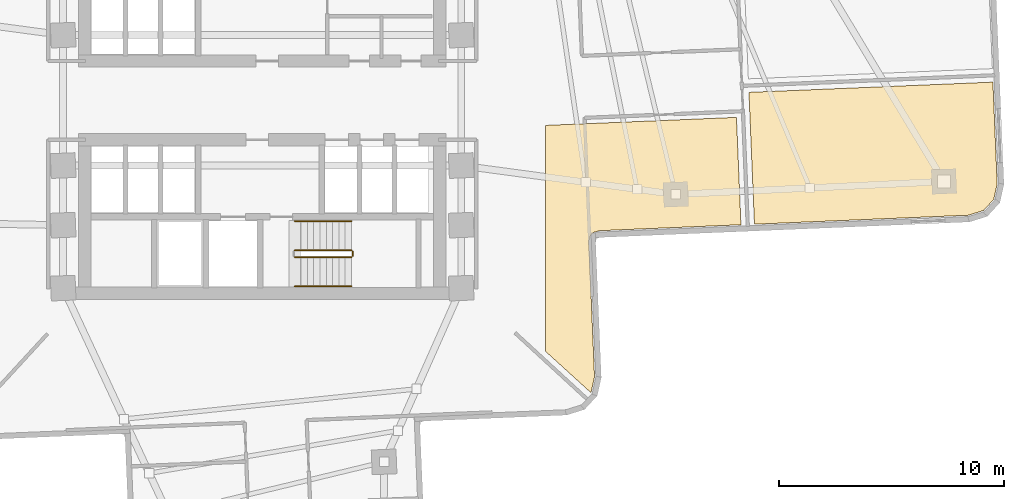
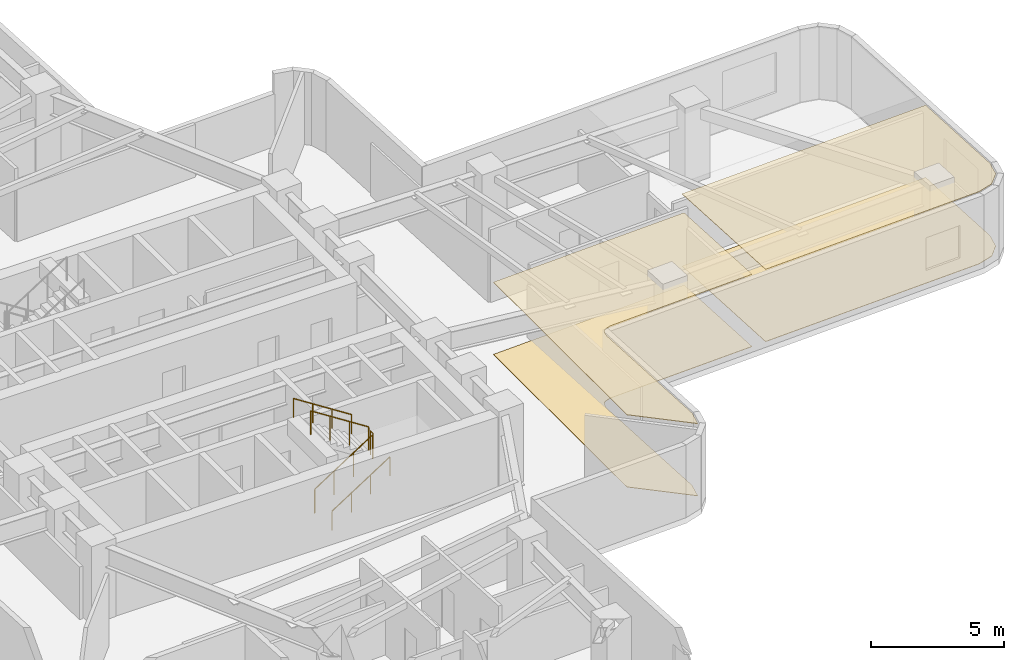
# One storey, part 8 of 10: 5 railings, 4 coverings.
"""IFC4 building model written with IfcOpenShell, lengths in metres."""

from ifc_helpers import new_model, si_unit, direction, frame, origin, origin_2d, place, context, subcontext, project, spatial, polyline, circle, outline, extrude, material, layer, layer_set, type_object, element, save


model = new_model("IFC4")

# Units and contexts
model_context = context("Model", 3, precision=1e-05, world=origin(), true_north=direction((0.0, 1.0)))
body_context = subcontext(model_context, "Body", "Model", "MODEL_VIEW")
ifc_project = project(units=[si_unit("LENGTHUNIT", "METRE"), si_unit("AREAUNIT", "SQUARE_METRE"), si_unit("VOLUMEUNIT", "CUBIC_METRE"), si_unit("PLANEANGLEUNIT", "RADIAN"), si_unit("MASSUNIT", "GRAM", prefix="KILO")], contexts=[model_context])

# Site, building, storey
site_placement = place(None, origin())
site = spatial("IfcSite", under=ifc_project, at=site_placement, CompositionType="ELEMENT")
building_placement = place(site_placement, origin())
building = spatial("IfcBuilding", under=site, at=building_placement, Name="Solmarez Civic Tower", CompositionType="ELEMENT")
storey_placement = place(building_placement, frame((0.0, 0.0, 42.47998046875)))
storey = spatial("IfcBuildingStorey", under=building, at=storey_placement, Name="L10", CompositionType="ELEMENT", Elevation=42.47998046875)

# Coverings
ifc_material_1 = material(Name="Perforated Mineral-Fibre Acoustic Ceiling")
ifc_layer_1 = layer(ifc_material_1, 0.02490234375)
ifc_layer_set_1 = layer_set([ifc_layer_1], Name="Perforated Mineral-Fibre Acoustic Ceiling")
covering_type_1 = type_object("IfcCoveringType", Name="COV-CEIL-ACOUSTIC", PredefinedType="CEILING", material=ifc_layer_set_1)
covering_1_placement = place(storey_placement, frame((0.0, 0.0, 3.31494140625)))
element("IfcCovering", 1, at=covering_1_placement, inside=storey, type_object=covering_type_1, Name="L10 Suspended Acoustic Ceiling 3", PredefinedType="CEILING", context=body_context, shape_type="SweptSolid", body=[
    extrude(outline(polyline([(12.60009765625, -1.113037109375), (12.60009765625, -11.162109375), (14.618896484375, -12.9990234375), (14.623046875, -12.993896484375), (14.778076171875, -12.302001953125), (14.528076171875, -6.327880859375), (14.528076171875, -6.319091796875), (14.528076171875, -6.304931640625), (14.530029296875, -6.27392578125), (14.531005859375, -6.26708984375), (14.533935546875, -6.2490234375), (14.572021484375, -6.0810546875), (14.574951171875, -6.070068359375), (14.576904296875, -6.06298828125), (14.5869140625, -6.035888671875), (14.590087890625, -6.029052734375), (14.593017578125, -6.02197265625), (14.60400390625, -6.0), (14.60791015625, -5.992919921875), (14.617919921875, -5.97705078125), (14.6298828125, -5.9609375), (14.635009765625, -5.955078125), (14.64501953125, -5.944091796875), (14.657958984375, -5.929931640625), (14.673095703125, -5.916015625), (14.68798828125, -5.904052734375), (14.7060546875, -5.89306640625), (14.721923828125, -5.884033203125), (14.739990234375, -5.875), (14.75390625, -5.868896484375), (14.77587890625, -5.861083984375), (14.93994140625, -5.81005859375), (14.945068359375, -5.80810546875), (14.951904296875, -5.805908203125), (14.98095703125, -5.800048828125), (14.988037109375, -5.799072265625), (14.9951171875, -5.798095703125), (15.01708984375, -5.7958984375), (21.2900390625, -5.532958984375), (21.090087890625, -0.757080078125), (12.60009765625, -1.113037109375)])), origin(), (0.0, 0.0, 1.0), 0.025146484375),
])
covering_2_placement = place(storey_placement, frame((0.0, 0.0, 3.31494140625)))
element("IfcCovering", 2, at=covering_2_placement, inside=storey, type_object=covering_type_1, Name="L10 Suspended Acoustic Ceiling 5", PredefinedType="CEILING", context=body_context, shape_type="SweptSolid", body=[
    extrude(outline(polyline([(21.889892578125, -5.508056640625), (31.402099609375, -5.10888671875), (32.077880859375, -4.89794921875), (32.530029296875, -4.406005859375), (32.68408203125, -3.715087890625), (32.493896484375, 0.81103515625), (21.64404296875, 0.35595703125), (21.889892578125, -5.508056640625)])), origin(), (0.0, 0.0, 1.0), 0.025146484375),
])
ifc_material_2 = material(Name="Polished Tropical Stone Terrazzo Flooring", Category="masonry")
ifc_layer_2 = layer(ifc_material_2, 0.02001953125)
ifc_layer_set_2 = layer_set([ifc_layer_2], Name="Polished Tropical Stone Terrazzo Flooring")
covering_type_2 = type_object("IfcCoveringType", Name="COV-FLOOR-TERRAZZO", PredefinedType="FLOORING", material=ifc_layer_set_2)
covering_3_placement = place(storey_placement, origin())
element("IfcCovering", 3, at=covering_3_placement, inside=storey, type_object=covering_type_2, Name="L10 Terrazzo Floor Finish 3", PredefinedType="FLOORING", context=body_context, shape_type="SweptSolid", body=[
    extrude(outline(polyline([(12.60009765625, -1.113037109375), (12.60009765625, -11.162109375), (14.618896484375, -12.9990234375), (14.623046875, -12.993896484375), (14.778076171875, -12.302001953125), (14.528076171875, -6.327880859375), (14.528076171875, -6.319091796875), (14.528076171875, -6.304931640625), (14.530029296875, -6.27392578125), (14.531005859375, -6.26708984375), (14.533935546875, -6.2490234375), (14.572021484375, -6.0810546875), (14.574951171875, -6.070068359375), (14.576904296875, -6.06298828125), (14.5869140625, -6.035888671875), (14.590087890625, -6.029052734375), (14.593017578125, -6.02197265625), (14.60400390625, -6.0), (14.60791015625, -5.992919921875), (14.617919921875, -5.97705078125), (14.6298828125, -5.9609375), (14.635009765625, -5.955078125), (14.64501953125, -5.944091796875), (14.657958984375, -5.929931640625), (14.673095703125, -5.916015625), (14.68798828125, -5.904052734375), (14.7060546875, -5.89306640625), (14.721923828125, -5.884033203125), (14.739990234375, -5.875), (14.75390625, -5.868896484375), (14.77587890625, -5.861083984375), (14.93994140625, -5.81005859375), (14.945068359375, -5.80810546875), (14.951904296875, -5.805908203125), (14.98095703125, -5.800048828125), (14.988037109375, -5.799072265625), (14.9951171875, -5.798095703125), (15.01708984375, -5.7958984375), (21.2900390625, -5.532958984375), (21.090087890625, -0.757080078125), (12.60009765625, -1.113037109375)])), origin(), (0.0, 0.0, 1.0), 0.02001953125),
])
covering_4_placement = place(storey_placement, origin())
element("IfcCovering", 4, at=covering_4_placement, inside=storey, type_object=covering_type_2, Name="L10 Terrazzo Floor Finish 5", PredefinedType="FLOORING", context=body_context, shape_type="SweptSolid", body=[
    extrude(outline(polyline([(21.889892578125, -5.508056640625), (31.402099609375, -5.10888671875), (32.077880859375, -4.89794921875), (32.530029296875, -4.406005859375), (32.68408203125, -3.715087890625), (32.493896484375, 0.81103515625), (21.64404296875, 0.35595703125), (21.889892578125, -5.508056640625)])), origin(), (0.0, 0.0, 1.0), 0.02001953125),
])

# Railings
ifc_material_3 = material(Name="Painted Steel Stairwell Safety Guard", Category="steel")
railing_type_1 = type_object("IfcRailingType", Name="GUARD-STAIR-1120", PredefinedType="BALUSTRADE", material=ifc_material_3)
railing_1_placement = place(storey_placement, frame((1.449951171875, -6.969970703125, 0.179931640625)))
element("IfcRailing", 5, at=railing_1_placement, inside=storey, type_object=railing_type_1, Name="L10 ST-2 stair guard 1", PredefinedType="BALUSTRADE", context=body_context, shape_type="SweptSolid", body=[
    extrude(circle(Radius=0.02392578125, at=origin_2d()), frame((0.0, 0.0, 1.09619140625), z_axis=(0.841162588446, 0.0, 0.540782303519), x_axis=(0.0, 1.0, 0.0)), (0.0, 0.0, 1.0), 2.995849609375),
    extrude(circle(Radius=0.02099609375, at=origin_2d()), origin(), (0.0, 0.0, 1.0), 1.072021484375),
    extrude(circle(Radius=0.02099609375, at=origin_2d()), frame((0.840087890625, 0.0, 0.5400390625)), (0.0, 0.0, 1.0), 1.072021484375),
    extrude(circle(Radius=0.02099609375, at=origin_2d()), frame((1.679931640625, 0.0, 1.080078125)), (0.0, 0.0, 1.0), 1.072021484375),
    extrude(circle(Radius=0.02099609375, at=origin_2d()), frame((2.52001953125, 0.0, 1.6201171875)), (0.0, 0.0, 1.0), 1.072021484375),
])
railing_2_placement = place(storey_placement, frame((4.02001953125, -6.919921875, 1.800048828125)))
element("IfcRailing", 6, at=railing_2_placement, inside=storey, type_object=railing_type_1, Name="L10 ST-2 stair guard 2", PredefinedType="BALUSTRADE", context=body_context, shape_type="SweptSolid", body=[
    extrude(circle(Radius=0.02392578125, at=origin_2d()), frame((0.0, 0.0, 1.09619140625), z_axis=(0.0, 1.0, 0.0), x_axis=(-1.0, 0.0, 0.0)), (0.0, 0.0, 1.0), 0.199951171875),
    extrude(circle(Radius=0.02099609375, at=origin_2d()), origin(), (0.0, 0.0, 1.0), 1.072021484375),
    extrude(circle(Radius=0.02099609375, at=origin_2d()), frame((0.0, 0.199951171875, 0.0)), (0.0, 0.0, 1.0), 1.072021484375),
])
railing_3_placement = place(storey_placement, frame((3.969970703125, -6.669921875, 1.97998046875)))
element("IfcRailing", 7, at=railing_3_placement, inside=storey, type_object=railing_type_1, Name="L10 ST-2 stair guard 3", PredefinedType="BALUSTRADE", context=body_context, shape_type="SweptSolid", body=[
    extrude(circle(Radius=0.02392578125, at=origin_2d()), frame((0.0, 0.0, 1.09619140625), z_axis=(-0.841162588446, 0.0, 0.540782303519), x_axis=(0.0, -1.0, 0.0)), (0.0, 0.0, 1.0), 2.995849609375),
    extrude(circle(Radius=0.02099609375, at=origin_2d()), origin(), (0.0, 0.0, 1.0), 1.072021484375),
    extrude(circle(Radius=0.02099609375, at=origin_2d()), frame((-0.840087890625, 0.0, 0.5400390625)), (0.0, 0.0, 1.0), 1.072021484375),
    extrude(circle(Radius=0.02099609375, at=origin_2d()), frame((-1.679931640625, 0.0, 1.080078125)), (0.0, 0.0, 1.0), 1.072021484375),
    extrude(circle(Radius=0.02099609375, at=origin_2d()), frame((-2.52001953125, 0.0, 1.6201171875)), (0.0, 0.0, 1.0), 1.072021484375),
])
ifc_material_4 = material(Name="Brushed Stainless Steel Tube Handrail", Category="steel")
railing_type_2 = type_object("IfcRailingType", Name="HANDRAIL-STAIR-900", PredefinedType="HANDRAIL", material=ifc_material_4)
railing_4_placement = place(storey_placement, frame((1.449951171875, -8.27001953125, 0.179931640625)))
element("IfcRailing", 8, at=railing_4_placement, inside=storey, type_object=railing_type_2, Name="L10 ST-2 stair handrail 1", PredefinedType="HANDRAIL", context=body_context, shape_type="SweptSolid", body=[
    extrude(circle(Radius=0.02392578125, at=origin_2d()), frame((0.0, 0.0, 0.8759765625), z_axis=(0.841162588446, 0.0, 0.540782303519), x_axis=(0.0, 1.0, 0.0)), (0.0, 0.0, 1.0), 2.995849609375),
    extrude(circle(Radius=0.02099609375, at=origin_2d()), origin(), (0.0, 0.0, 1.0), 0.851806640625),
    extrude(circle(Radius=0.02099609375, at=origin_2d()), frame((0.840087890625, 0.0, 0.5400390625)), (0.0, 0.0, 1.0), 0.851806640625),
    extrude(circle(Radius=0.02099609375, at=origin_2d()), frame((1.679931640625, 0.0, 1.080078125)), (0.0, 0.0, 1.0), 0.851806640625),
    extrude(circle(Radius=0.02099609375, at=origin_2d()), frame((2.52001953125, 0.0, 1.6201171875)), (0.0, 0.0, 1.0), 0.851806640625),
])
railing_5_placement = place(storey_placement, frame((3.969970703125, -5.3701171875, 1.97998046875)))
element("IfcRailing", 9, at=railing_5_placement, inside=storey, type_object=railing_type_2, Name="L10 ST-2 stair handrail 2", PredefinedType="HANDRAIL", context=body_context, shape_type="SweptSolid", body=[
    extrude(circle(Radius=0.02392578125, at=origin_2d()), frame((0.0, 0.0, 0.8759765625), z_axis=(-0.841162588446, 0.0, 0.540782303519), x_axis=(0.0, -1.0, 0.0)), (0.0, 0.0, 1.0), 2.995849609375),
    extrude(circle(Radius=0.02099609375, at=origin_2d()), origin(), (0.0, 0.0, 1.0), 0.851806640625),
    extrude(circle(Radius=0.02099609375, at=origin_2d()), frame((-0.840087890625, 0.0, 0.5400390625)), (0.0, 0.0, 1.0), 0.851806640625),
    extrude(circle(Radius=0.02099609375, at=origin_2d()), frame((-1.679931640625, 0.0, 1.080078125)), (0.0, 0.0, 1.0), 0.851806640625),
    extrude(circle(Radius=0.02099609375, at=origin_2d()), frame((-2.52001953125, 0.0, 1.6201171875)), (0.0, 0.0, 1.0), 0.851806640625),
])

save(model, "model.ifc")
